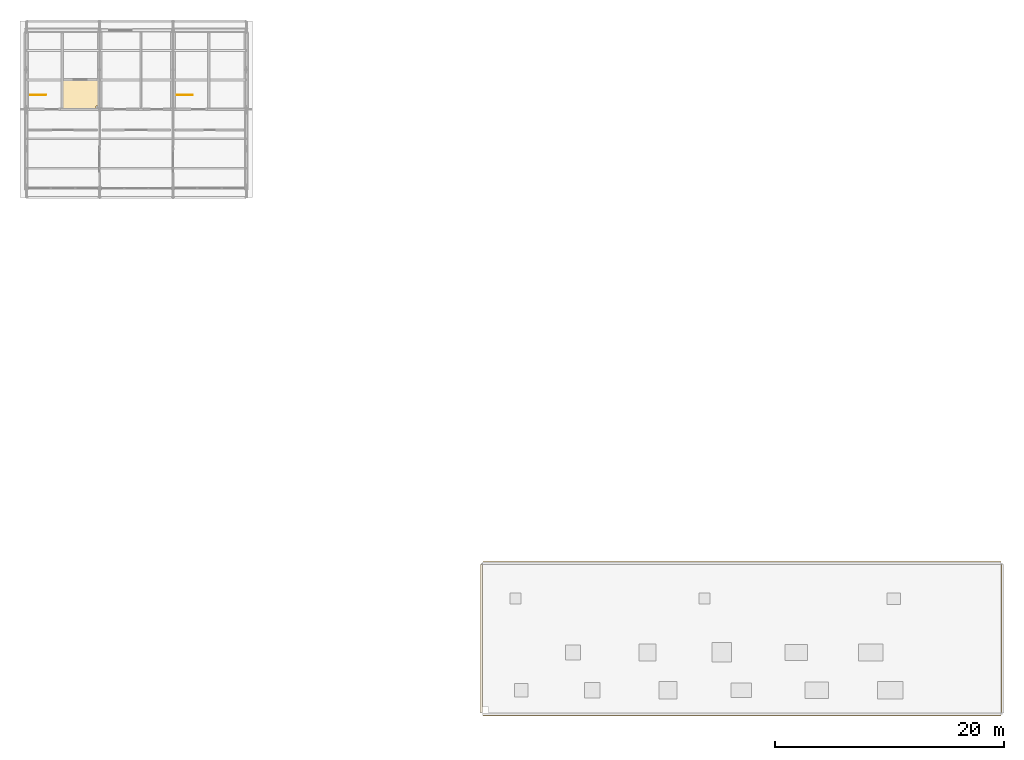
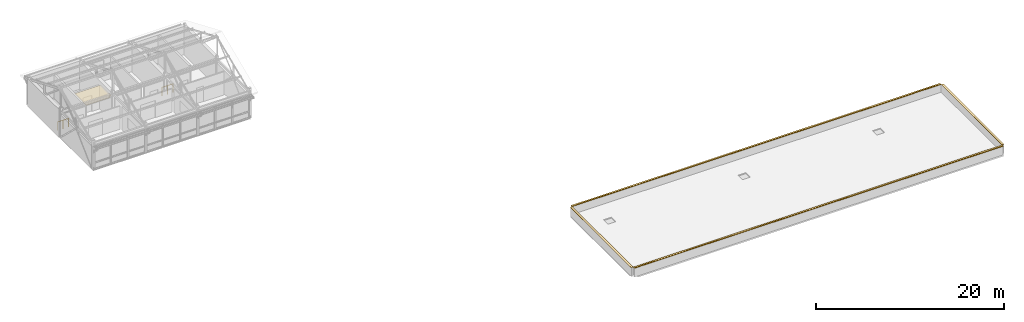
# One storey, part 11 of 11: 5 coverings, 2 railings.
"""IFC4 building model written with IfcOpenShell, lengths in metres."""

from ifc_helpers import new_model, si_unit, direction, frame, origin, origin_2d, place, context, subcontext, project, spatial, polyline, rectangle, circle, outline, extrude, material, layer, layer_set, type_object, element, save


model = new_model("IFC4")

# Units and contexts
model_context = context("Model", 3, precision=1e-05, world=origin(), true_north=direction((0.0, 1.0)))
body_context = subcontext(model_context, "Body", "Model", "MODEL_VIEW")
ifc_project = project(units=[si_unit("LENGTHUNIT", "METRE"), si_unit("AREAUNIT", "SQUARE_METRE"), si_unit("VOLUMEUNIT", "CUBIC_METRE"), si_unit("PLANEANGLEUNIT", "RADIAN"), si_unit("MASSUNIT", "GRAM", prefix="KILO")], contexts=[model_context])

# Site, building, storey
site_placement = place(None, origin())
site = spatial("IfcSite", under=ifc_project, at=site_placement, CompositionType="ELEMENT")
building_placement = place(site_placement, origin())
building = spatial("IfcBuilding", under=site, at=building_placement, Name="Trelmorton Wharf Fire Station", CompositionType="ELEMENT")
storey_placement = place(building_placement, frame((0.0, 0.0, 25.199951171875)))
storey = spatial("IfcBuildingStorey", under=building, at=storey_placement, Name="L06", CompositionType="ELEMENT", Elevation=25.199951171875)

# Coverings
ifc_material_1 = material(Name="Mineral fibre acoustic ceiling")
ifc_layer_1 = layer(ifc_material_1, 0.02001953125)
ifc_layer_set_1 = layer_set([ifc_layer_1], Name="Mineral fibre acoustic ceiling")
covering_type_1 = type_object("IfcCoveringType", Name="CV_CEIL_ACOU", PredefinedType="CEILING", material=ifc_layer_set_1)
covering_1_placement = place(storey_placement, frame((0.0, 0.0, 2.97998046875)))
element("IfcCovering", 1, at=covering_1_placement, inside=storey, type_object=covering_type_1, Name="CV-CLG-040", PredefinedType="CEILING", context=body_context, shape_type="SweptSolid", body=[
    extrude(outline(polyline([(73.9599609375, 67.239990234375), (73.9599609375, 69.760009765625), (77.159912109375, 69.760009765625), (77.159912109375, 67.5), (76.89990234375, 67.5), (76.89990234375, 67.239990234375), (73.9599609375, 67.239990234375)])), origin(), (0.0, 0.0, 1.0), 0.02001953125),
])
ifc_material_2 = material(Name="Colorsteel standing-seam roofing", Category="steel")
ifc_layer_2 = layer(ifc_material_2, 0.02490234375)
ifc_layer_set_2 = layer_set([ifc_layer_2], Name="Colorsteel standing-seam roofing")
covering_type_2 = type_object("IfcCoveringType", Name="CV_ROOF_MEM", PredefinedType="ROOFING", material=ifc_layer_set_2)
covering_2_placement = place(storey_placement, frame((133.25, 14.39990234375, 1.1455078125), z_axis=(0.0, 0.0, 1.0), x_axis=(-1.0, 0.0, 0.0)))
element("IfcCovering", 2, at=covering_2_placement, inside=storey, type_object=covering_type_2, Name="CV-RF-COP-04", PredefinedType="ROOFING", context=body_context, shape_type="SweptSolid", body=[
    extrude(rectangle(XDim=45.219970703125, YDim=0.25, at=origin_2d()), origin(), (0.0, 0.0, 1.0), 0.02490234375),
])
covering_3_placement = place(storey_placement, frame((110.5, 21.0, 1.1455078125), z_axis=(0.0, 0.0, 1.0), x_axis=(0.0, 1.0, 0.0)))
element("IfcCovering", 3, at=covering_3_placement, inside=storey, type_object=covering_type_2, Name="CV-RF-COP-05", PredefinedType="ROOFING", context=body_context, shape_type="SweptSolid", body=[
    extrude(rectangle(XDim=12.919921875, YDim=0.25, at=origin_2d()), origin(), (0.0, 0.0, 1.0), 0.02490234375),
])
covering_4_placement = place(storey_placement, frame((133.25, 27.60009765625, 1.1455078125), z_axis=(0.0, 0.0, 1.0), x_axis=(1.0, 0.0, 0.0)))
element("IfcCovering", 4, at=covering_4_placement, inside=storey, type_object=covering_type_2, Name="CV-RF-COP-06", PredefinedType="ROOFING", context=body_context, shape_type="SweptSolid", body=[
    extrude(rectangle(XDim=45.219970703125, YDim=0.25, at=origin_2d()), origin(), (0.0, 0.0, 1.0), 0.02490234375),
])
covering_5_placement = place(storey_placement, frame((156.0, 21.0, 1.1455078125), z_axis=(0.0, 0.0, 1.0), x_axis=(0.0, -1.0, 0.0)))
element("IfcCovering", 5, at=covering_5_placement, inside=storey, type_object=covering_type_2, Name="CV-RF-COP-07", PredefinedType="ROOFING", context=body_context, shape_type="SweptSolid", body=[
    extrude(rectangle(XDim=12.919921875, YDim=0.25, at=origin_2d()), origin(), (0.0, 0.0, 1.0), 0.02490234375),
])

# Railings
ifc_material_3 = material(Name="Stainless steel 316 marine grade", Category="steel")
railing_type = type_object("IfcRailingType", Name="RL_WELL_1100", PredefinedType="BALUSTRADE", material=ifc_material_3)
for number, where, name in (
    (6, (71.159912109375, 68.4599609375, 0.0), "RL-UPWELL-STR-C6-L05-26"),
    (7, (83.9599609375, 68.4599609375, 0.0), "RL-UPWELL-STR-C6B-L05-32"),
):
    element("IfcRailing", number, at=place(storey_placement, frame(where)), inside=storey, type_object=railing_type, Name=name, PredefinedType="BALUSTRADE", context=body_context, shape_type="SweptSolid", body=[
        extrude(circle(Radius=0.02392578125, at=origin_2d()), frame((0.0, 0.0, 1.09619140625), z_axis=(1.0, 0.0, 0.0), x_axis=(0.0, 1.0, 0.0)), (0.0, 0.0, 1.0), 1.340087890625),
        extrude(circle(Radius=0.02099609375, at=origin_2d()), origin(), (0.0, 0.0, 1.0), 1.072021484375),
        extrude(circle(Radius=0.02099609375, at=origin_2d()), frame((0.669921875, 0.0, 0.0)), (0.0, 0.0, 1.0), 1.072021484375),
        extrude(circle(Radius=0.02099609375, at=origin_2d()), frame((1.340087890625, 0.0, 0.0)), (0.0, 0.0, 1.0), 1.072021484375),
    ])

save(model, "model.ifc")
